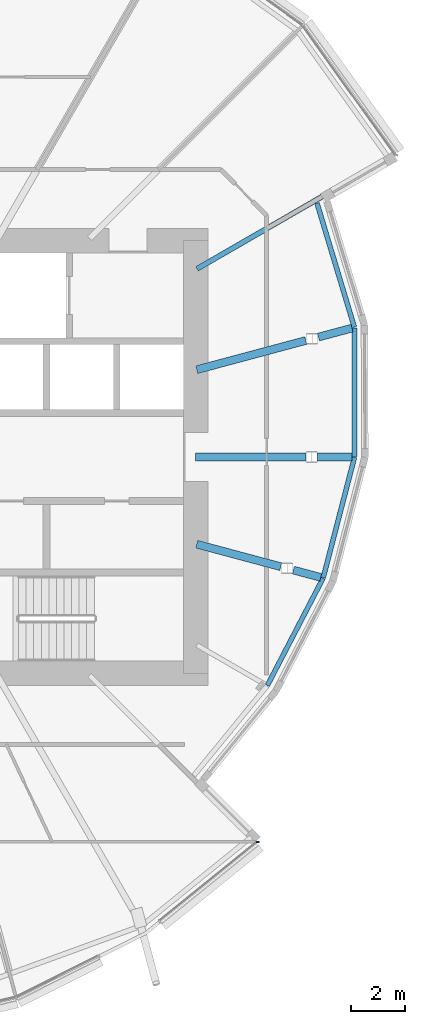
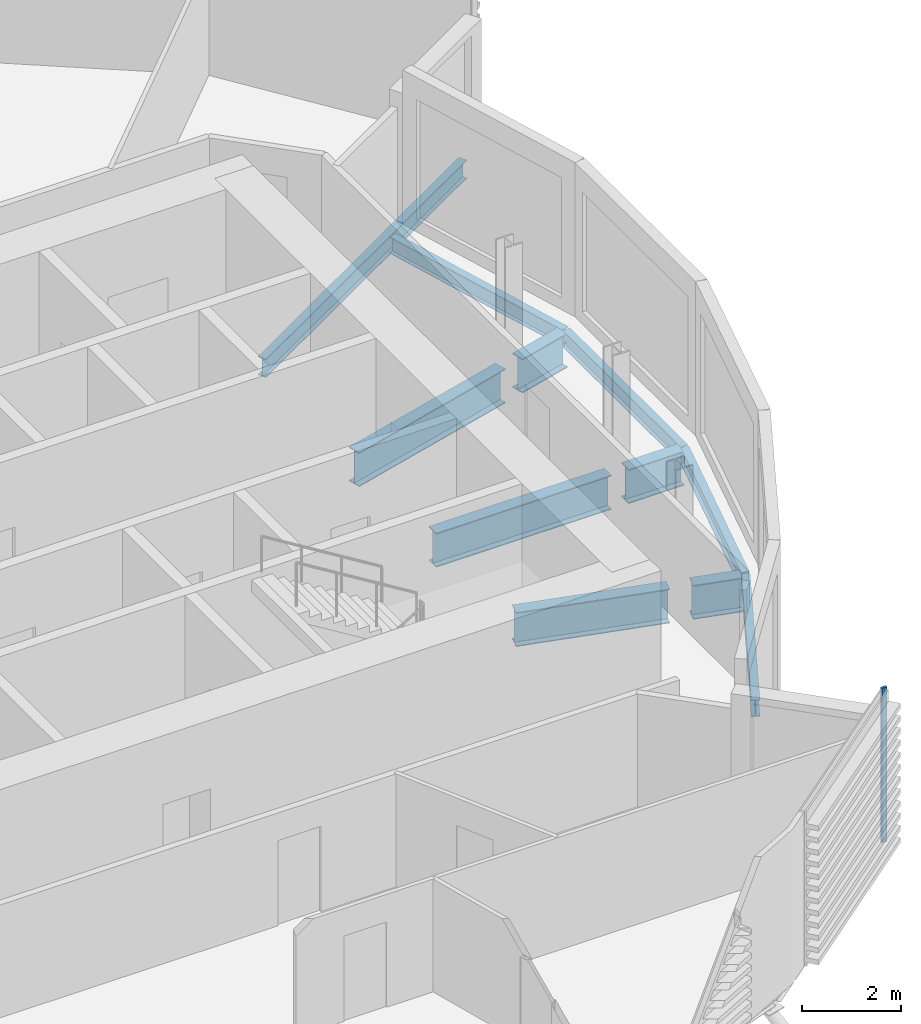
# One storey, part 16 of 37: 11 beams, 1 member, 1 element without a shape of its own.
"""IFC4 building model written with IfcOpenShell, lengths in metres."""

from ifc_helpers import new_model, si_unit, direction, frame, origin, origin_2d, place, context, subcontext, project, spatial, rectangle, i_section, extrude, material, material_profile, profile_set, type_object, element, aggregate, save


model = new_model("IFC4")

# Units and contexts
model_context = context("Model", 3, precision=1e-05, world=origin(), true_north=direction((0.0, 1.0)))
body_context = subcontext(model_context, "Body", "Model", "MODEL_VIEW")
ifc_project = project(units=[si_unit("LENGTHUNIT", "METRE"), si_unit("AREAUNIT", "SQUARE_METRE"), si_unit("VOLUMEUNIT", "CUBIC_METRE"), si_unit("PLANEANGLEUNIT", "RADIAN"), si_unit("MASSUNIT", "GRAM", prefix="KILO")], contexts=[model_context])

# Site, building, storey
site_placement = place(None, origin())
site = spatial("IfcSite", under=ifc_project, at=site_placement, CompositionType="ELEMENT")
building_placement = place(site_placement, origin())
building = spatial("IfcBuilding", under=site, at=building_placement, Name="Rimbun Link Towers", CompositionType="ELEMENT")
storey_placement = place(building_placement, frame((0.0, 0.0, 45.199951171875)))
storey = spatial("IfcBuildingStorey", under=building, at=storey_placement, Name="L10", CompositionType="ELEMENT", Elevation=45.199951171875)

# Curtain wall, member
ifc_material_1 = material(Name="Aluminium 6063-T6 and low-iron glass", Category="aluminium")
curtain_wall_type = type_object("IfcCurtainWallType", Name="CW1 unitised vision wall", PredefinedType="NOTDEFINED", material=ifc_material_1)
curtain_wall_placement = place(storey_placement, origin())
curtain_wall = element("IfcCurtainWall", 1, at=curtain_wall_placement, inside=storey, type_object=curtain_wall_type, Name="CW1 L10 T2", PredefinedType="NOTDEFINED")
ifc_material_2 = material(Name="Aluminium 6063-T6", Category="aluminium")
ifc_material_profile_1 = material_profile(ifc_material_2, rectangle(XDim=0.1201171875, YDim=0.06005859375, at=origin_2d()), Name="MULLION 60X120")
ifc_profile_set_1 = profile_set([ifc_material_profile_1], Name="Aluminium 6063-T6")
member_type = type_object("IfcMemberType", Name="CW1 mullion 60X120", PredefinedType="MULLION", material=ifc_profile_set_1)
member_placement = place(storey_placement, frame((46.04150390625, -14.23486328125, 0.0), z_axis=(0.0, 0.0, 1.0), x_axis=(0.998623946745, -0.05244247312, 0.0)))
member = element("IfcMember", 2, at=member_placement, type_object=member_type, Name="CW1 mullion", PredefinedType="MULLION", context=body_context, shape_type="SweptSolid", body=[
    extrude(rectangle(XDim=0.1201171875, YDim=0.06005859375, at=origin_2d()), origin(), (0.0, 0.0, 1.0), 3.800048828125),
])
aggregate(curtain_wall, [member])

# Beams
ifc_material_3 = material(Name="Steel S355J2", Category="steel")
ifc_material_profile_2 = material_profile(ifc_material_3, i_section(OverallWidth=0.177978515625, OverallDepth=0.406494140625, WebThickness=0.0078125, FlangeThickness=0.0126953125, at=origin_2d()), Name="UB 406x178x60")
ifc_profile_set_2 = profile_set([ifc_material_profile_2], Name="Steel S355J2")
beam_type_1 = type_object("IfcBeamType", Name="UB 406x178x60", PredefinedType="BEAM", material=ifc_profile_set_2)
beam_1_placement = place(storey_placement, frame((46.400390625, -8.44677734375, -0.363037109375), z_axis=(0.460908110593, 0.88744786528, 0.0), x_axis=(-0.88744786528, 0.460908110593, 0.0)))
element("IfcBeam", 3, at=beam_1_placement, inside=storey, type_object=beam_type_1, Name="Edge beam T2 L10 19 recess", PredefinedType="BEAM", context=body_context, shape_type="SweptSolid", body=[
    extrude(i_section(OverallWidth=0.177978515625, OverallDepth=0.406494140625, WebThickness=0.0078125, FlangeThickness=0.0126953125, at=origin_2d()), origin(), (0.0, 0.0, 1.0), 4.461181640625),
])
beam_2_placement = place(storey_placement, frame((48.46435546875, -4.467041015625, -0.363037109375), z_axis=(0.251212503294, 0.967931959483, 0.0), x_axis=(-0.967931959483, 0.251212503294, 0.0)))
element("IfcBeam", 4, at=beam_2_placement, inside=storey, type_object=beam_type_1, Name="Edge beam T2 L10 20 recess", PredefinedType="BEAM", context=body_context, shape_type="SweptSolid", body=[
    extrude(i_section(OverallWidth=0.177978515625, OverallDepth=0.406494140625, WebThickness=0.0078125, FlangeThickness=0.0126953125, at=origin_2d()), origin(), (0.0, 0.0, 1.0), 4.602783203125),
])
beam_3_placement = place(storey_placement, frame((49.623779296875, 0.012451171875, -0.363037109375), z_axis=(-0.001128088709, 0.999999363708, 0.0), x_axis=(-0.999999363708, -0.001128088709, 0.0)))
element("IfcBeam", 5, at=beam_3_placement, inside=storey, type_object=beam_type_1, Name="Edge beam T2 L10 21 recess", PredefinedType="BEAM", context=body_context, shape_type="SweptSolid", body=[
    extrude(i_section(OverallWidth=0.177978515625, OverallDepth=0.406494140625, WebThickness=0.0078125, FlangeThickness=0.0126953125, at=origin_2d()), origin(), (0.0, 0.0, 1.0), 4.76123046875),
])
beam_4_placement = place(storey_placement, frame((49.614501953125, 4.80126953125, -0.363037109375), z_axis=(-0.288311964284, 0.957536532593, 0.0), x_axis=(-0.957536532593, -0.288311964284, 0.0)))
element("IfcBeam", 6, at=beam_4_placement, inside=storey, type_object=beam_type_1, Name="Edge beam T2 L10 22 recess", PredefinedType="BEAM", context=body_context, shape_type="SweptSolid", body=[
    extrude(i_section(OverallWidth=0.177978515625, OverallDepth=0.406494140625, WebThickness=0.0078125, FlangeThickness=0.0126953125, at=origin_2d()), origin(), (0.0, 0.0, 1.0), 4.78515625),
])
ifc_material_4 = material(Name="Steel S355J2", Category="steel")
ifc_material_profile_3 = material_profile(ifc_material_4, i_section(OverallWidth=0.18994140625, OverallDepth=0.453369140625, WebThickness=0.008544921875, FlangeThickness=0.0126953125, at=origin_2d()), Name="UB 457x191x67")
ifc_profile_set_3 = profile_set([ifc_material_profile_3], Name="Steel S355J2")
beam_type_2 = type_object("IfcBeamType", Name="UB 457x191x67", PredefinedType="BEAM", material=ifc_profile_set_3)
beam_5_placement = place(storey_placement, frame((43.79833984375, 6.9560546875, -0.38671875), z_axis=(0.866021827868, 0.500006193617, 0.0), x_axis=(-0.500006193617, 0.866021827868, 0.0)))
element("IfcBeam", 7, at=beam_5_placement, inside=storey, type_object=beam_type_2, Name="Radial beam T2 L10 23", PredefinedType="BEAM", context=body_context, shape_type="SweptSolid", body=[
    extrude(i_section(OverallWidth=0.18994140625, OverallDepth=0.453369140625, WebThickness=0.008544921875, FlangeThickness=0.0126953125, at=origin_2d()), origin(), (0.0, 0.0, 1.0), 8.09375),
])
ifc_material_5 = material(Name="Steel S355J2", Category="steel")
ifc_material_profile_4 = material_profile(ifc_material_5, i_section(OverallWidth=0.29248046875, OverallDepth=0.8408203125, WebThickness=0.0126953125, FlangeThickness=0.021728515625, at=origin_2d()), Name="UB 838x292x194")
ifc_profile_set_4 = profile_set([ifc_material_profile_4], Name="Steel S355J2")
beam_type_3 = type_object("IfcBeamType", Name="UB 838x292x194", PredefinedType="BEAM", material=ifc_profile_set_4)
beam_6_placement = place(storey_placement, frame((43.788818359375, -3.225830078125, -0.580322265625), z_axis=(0.965925332153, -0.258820889237, 0.0), x_axis=(0.258820889237, 0.965925332153, 0.0)))
element("IfcBeam", 8, at=beam_6_placement, inside=storey, type_object=beam_type_3, Name="Radial beam T2 L10 20", PredefinedType="BEAM", context=body_context, shape_type="SweptSolid", body=[
    extrude(i_section(OverallWidth=0.29248046875, OverallDepth=0.8408203125, WebThickness=0.0126953125, FlangeThickness=0.021728515625, at=origin_2d()), origin(), (0.0, 0.0, 1.0), 3.2138671875),
])
beam_7_placement = place(storey_placement, frame((43.7509765625, 0.0, -0.580322265625), z_axis=(1.0, 0.0, 0.0), x_axis=(0.0, 1.0, 0.0)))
element("IfcBeam", 9, at=beam_7_placement, inside=storey, type_object=beam_type_3, Name="Radial beam T2 L10 21", PredefinedType="BEAM", context=body_context, shape_type="SweptSolid", body=[
    extrude(i_section(OverallWidth=0.29248046875, OverallDepth=0.8408203125, WebThickness=0.0126953125, FlangeThickness=0.021728515625, at=origin_2d()), origin(), (0.0, 0.0, 1.0), 4.085693359375),
])
beam_8_placement = place(storey_placement, frame((43.788818359375, 3.225830078125, -0.580322265625), z_axis=(0.965937081332, 0.258777037056, 0.0), x_axis=(-0.258777037056, 0.965937081332, 0.0)))
element("IfcBeam", 10, at=beam_8_placement, inside=storey, type_object=beam_type_3, Name="Radial beam T2 L10 22", PredefinedType="BEAM", context=body_context, shape_type="SweptSolid", body=[
    extrude(i_section(OverallWidth=0.29248046875, OverallDepth=0.8408203125, WebThickness=0.0126953125, FlangeThickness=0.021728515625, at=origin_2d()), origin(), (0.0, 0.0, 1.0), 4.171875),
])
beam_9_placement = place(storey_placement, frame((47.364501953125, -4.183837890625, -0.580322265625), z_axis=(0.965939712611, -0.258767215081, 0.0), x_axis=(0.258767215081, 0.965939712611, 0.0)))
element("IfcBeam", 11, at=beam_9_placement, inside=storey, type_object=beam_type_3, Name="Radial beam T2 L10 20 outer cantilever", PredefinedType="BEAM", context=body_context, shape_type="SweptSolid", body=[
    extrude(i_section(OverallWidth=0.29248046875, OverallDepth=0.8408203125, WebThickness=0.0126953125, FlangeThickness=0.021728515625, at=origin_2d()), origin(), (0.0, 0.0, 1.0), 1.04541015625),
])
beam_10_placement = place(storey_placement, frame((48.23681640625, 0.0, -0.580322265625), z_axis=(1.0, 0.0, 0.0), x_axis=(0.0, 1.0, 0.0)))
element("IfcBeam", 12, at=beam_10_placement, inside=storey, type_object=beam_type_3, Name="Radial beam T2 L10 21 outer cantilever", PredefinedType="BEAM", context=body_context, shape_type="SweptSolid", body=[
    extrude(i_section(OverallWidth=0.29248046875, OverallDepth=0.8408203125, WebThickness=0.0126953125, FlangeThickness=0.021728515625, at=origin_2d()), origin(), (0.0, 0.0, 1.0), 1.29638671875),
])
beam_11_placement = place(storey_placement, frame((48.289794921875, 4.431884765625, -0.580322265625), z_axis=(0.965937875446, 0.258774072848, 0.0), x_axis=(-0.258774072848, 0.965937875446, 0.0)))
element("IfcBeam", 13, at=beam_11_placement, inside=storey, type_object=beam_type_3, Name="Radial beam T2 L10 22 outer cantilever", PredefinedType="BEAM", context=body_context, shape_type="SweptSolid", body=[
    extrude(i_section(OverallWidth=0.29248046875, OverallDepth=0.8408203125, WebThickness=0.0126953125, FlangeThickness=0.021728515625, at=origin_2d()), origin(), (0.0, 0.0, 1.0), 1.284912109375),
])

save(model, "model.ifc")
